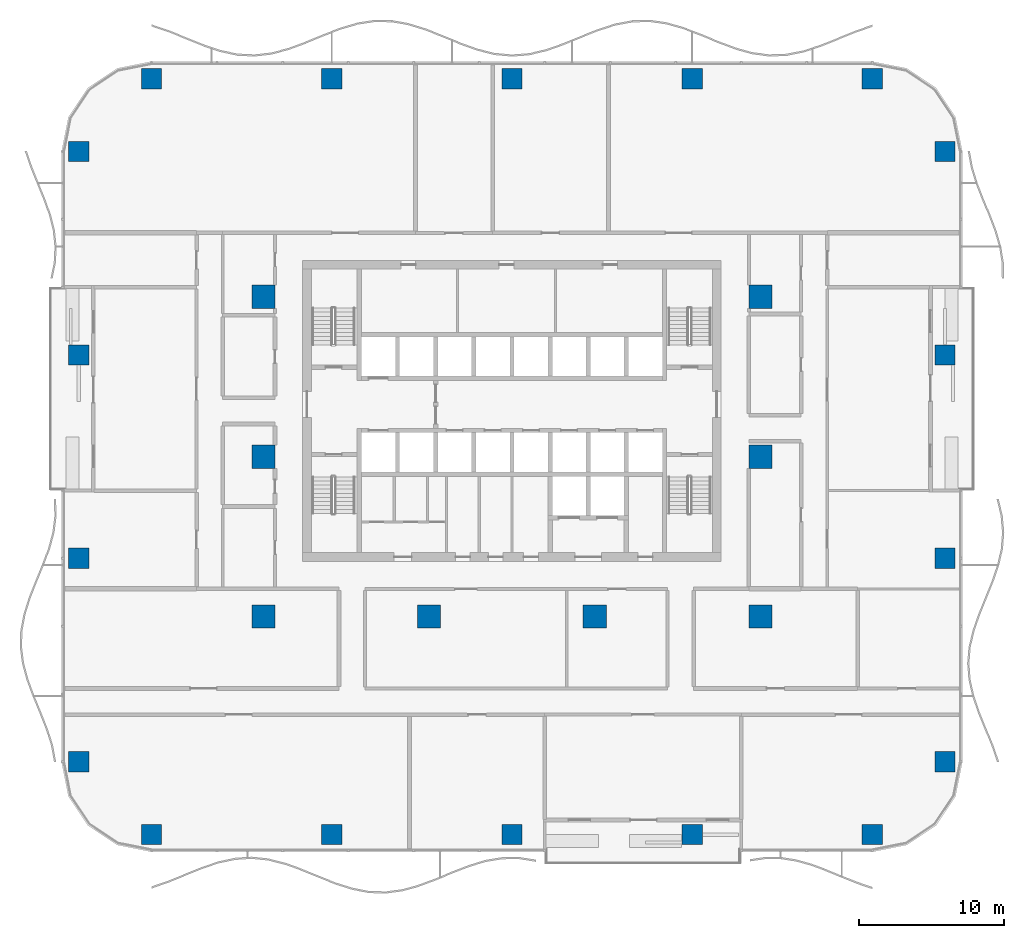
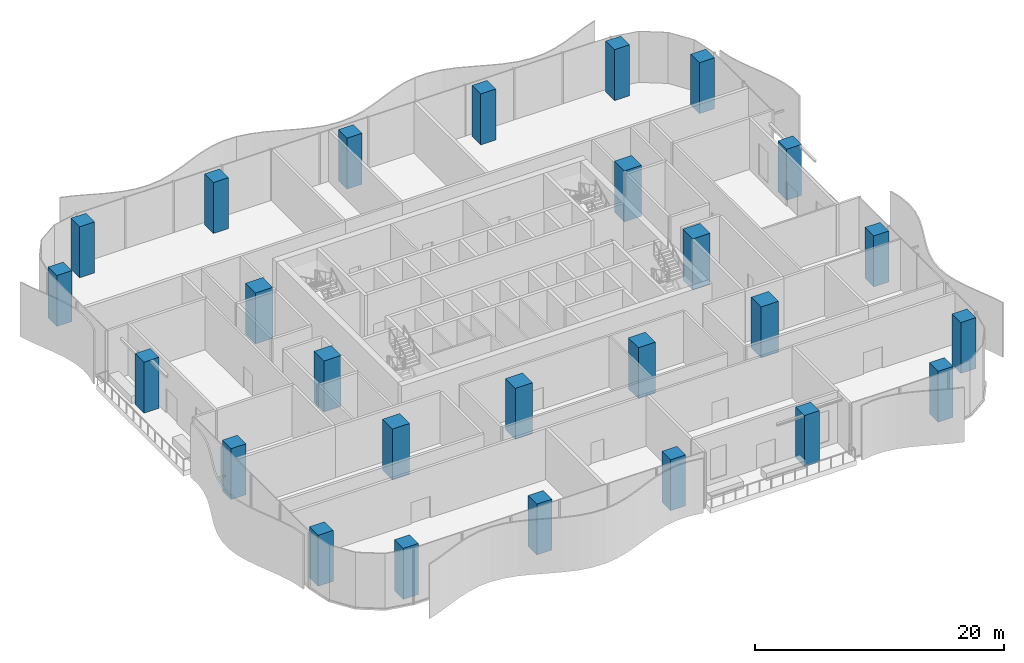
# One storey, part 1 of 21: 26 columns.
"""IFC4 building model written with IfcOpenShell, lengths in metres."""

import ifcopenshell
import ifcopenshell.guid

model = None  # the IFC model being written
_history = None  # IfcOwnerHistory: only IFC2X3 demands one
_inside = {}  # id of a spatial element -> (the spatial element, [elements in it])
_under = {}  # id of a project, library or spatial element -> (it, [spatial elements below it])
_declared = {}  # id of a project -> (the project, [libraries it declares])
_typed = {}  # id of a type object -> (the type object, [elements of that type])
_made_of = {}  # id of a material, layer set ... -> (it, [elements and type objects made of it])


def new_model(schema):
    """Start an empty IFC model of exactly this schema.

    Asked for "IFC4X3", IfcOpenShell would pick the latest addendum, in which some entities
    have other attributes; the version numbers below select the first issue.
    IFC2X3 requires an IfcOwnerHistory on every rooted entity: one is made here for all.
    """
    global model, _history
    if schema == "IFC4X3":
        model = ifcopenshell.file(schema_version=(4, 3, 0, 0))
    else:
        model = ifcopenshell.file(schema=schema)
    _inside.clear()
    _under.clear()
    _declared.clear()
    _typed.clear()
    _made_of.clear()
    _history = None
    if model.schema == "IFC2X3":
        org = make("IfcOrganization", Name="unknown")
        user = make(
            "IfcPersonAndOrganization",
            ThePerson=make("IfcPerson", FamilyName="unknown"),
            TheOrganization=org,
        )
        app = make(
            "IfcApplication",
            ApplicationDeveloper=org,
            Version="unknown",
            ApplicationFullName="unknown",
            ApplicationIdentifier="unknown",
        )
        _history = make(
            "IfcOwnerHistory",
            OwningUser=user,
            OwningApplication=app,
            ChangeAction="ADDED",
            CreationDate=0,
        )
    return model


def make(cls, **values):
    """One entity of the class cls with the attributes given. An attribute that is None is left unset."""
    return model.create_entity(
        cls, **{name: value for name, value in values.items() if value is not None}
    )


def rooted(cls, **values):
    """An entity with a GlobalId (a new one), such as an element, a storey or a relation."""
    return make(cls, GlobalId=ifcopenshell.guid.new(), OwnerHistory=_history, **values)


def si_unit(unit_type, name, prefix=None):
    """IfcSIUnit, for example si_unit("LENGTHUNIT", "METRE", prefix="MILLI")."""
    return make("IfcSIUnit", UnitType=unit_type, Prefix=prefix, Name=name)


def assignment(units):
    """IfcUnitAssignment: the units of a project."""
    return None if units is None else make("IfcUnitAssignment", Units=units)


def point(xyz):
    """IfcCartesianPoint."""
    return None if xyz is None else make("IfcCartesianPoint", Coordinates=xyz)


def direction(xyz):
    """IfcDirection."""
    return None if xyz is None else make("IfcDirection", DirectionRatios=xyz)


def frame(location, z_axis=None, x_axis=None):
    """IfcAxis2Placement3D, a coordinate frame: its origin and axes. An axis left out is left unset."""
    return make(
        "IfcAxis2Placement3D",
        Location=point(location),
        Axis=direction(z_axis),
        RefDirection=direction(x_axis),
    )


def frame_2d(location, x_axis=None):
    """IfcAxis2Placement2D, a coordinate frame in the plane: its origin and x axis."""
    return make(
        "IfcAxis2Placement2D", Location=point(location), RefDirection=direction(x_axis)
    )


def origin():
    """The frame at (0, 0, 0) with its axes left unset."""
    return frame((0.0, 0.0, 0.0))


def origin_2d():
    """The frame at (0, 0) in the plane with its x axis left unset."""
    return frame_2d((0.0, 0.0))


def place(relative_to, where):
    """IfcLocalPlacement: puts the frame where relative to a parent placement (None: the world)."""
    return make(
        "IfcLocalPlacement", PlacementRelTo=relative_to, RelativePlacement=where
    )


def context(
    kind, dimensions, precision=None, world=None, true_north=None, identifier=None
):
    """IfcGeometricRepresentationContext, for example the 3D "Model" context."""
    return make(
        "IfcGeometricRepresentationContext",
        ContextIdentifier=identifier,
        ContextType=kind,
        CoordinateSpaceDimension=dimensions,
        Precision=precision,
        WorldCoordinateSystem=world,
        TrueNorth=true_north,
    )


def subcontext(parent, identifier, kind, view, scale=None):
    """IfcGeometricRepresentationSubContext, for example "Body" below "Model"."""
    return make(
        "IfcGeometricRepresentationSubContext",
        ContextIdentifier=identifier,
        ContextType=kind,
        ParentContext=parent,
        TargetScale=scale,
        TargetView=view,
    )


def project(units=None, contexts=None):
    """IfcProject with its units and contexts."""
    return rooted(
        "IfcProject",
        Name="project",
        RepresentationContexts=contexts,
        UnitsInContext=assignment(units),
    )


def spatial(cls, under=None, at=None, **own):
    """A site, building, storey or space (cls), placed at a placement, below another one or the project."""
    s = rooted(cls, ObjectPlacement=at, **own)
    if under is not None:
        _under.setdefault(under.id(), (under, []))[1].append(s)
    return s


def profile(cls, at=None, kind="AREA", **sizes):
    """A parametric profile (cls). Its sizes go by their IFC names, for example OverallWidth=200.0."""
    return make(cls, ProfileType=kind, Position=at, **sizes)


def rectangle(**sizes):
    """IfcRectangleProfileDef."""
    return profile("IfcRectangleProfileDef", **sizes)


def extrude(swept, where, along, depth):
    """IfcExtrudedAreaSolid: the profile swept, set in the frame where, extruded along a direction by depth."""
    return make(
        "IfcExtrudedAreaSolid",
        SweptArea=swept,
        Position=where,
        ExtrudedDirection=direction(along),
        Depth=depth,
    )


def shape(context_of_items, identifier, shape_type, items):
    """IfcShapeRepresentation: the items that make up one representation, for example the "Body"."""
    return make(
        "IfcShapeRepresentation",
        ContextOfItems=context_of_items,
        RepresentationIdentifier=identifier,
        RepresentationType=shape_type,
        Items=items,
    )


def material(Name=None, Category=None):
    """IfcMaterial."""
    return make("IfcMaterial", Name=Name, Category=Category)


def material_profile(
    of_material, cross_section, Name=None, Category=None, Priority=None
):
    """IfcMaterialProfile: a cross section and its material."""
    return make(
        "IfcMaterialProfile",
        Name=Name,
        Material=of_material,
        Profile=cross_section,
        Priority=Priority,
        Category=Category,
    )


def profile_set(profiles, Name=None, composite=None):
    """IfcMaterialProfileSet."""
    return make(
        "IfcMaterialProfileSet",
        Name=Name,
        MaterialProfiles=profiles,
        CompositeProfile=composite,
    )


def made_of(thing, what):
    """Note that an element or type object is made of a material, layer set ...; save() writes the relation."""
    if what is not None:
        _made_of.setdefault(what.id(), (what, []))[1].append(thing)
    return thing


def type_object(cls, material=None, **own):
    """A type object (cls), such as IfcWallType, which elements share."""
    return made_of(rooted(cls, **own), material)


def element(
    cls,
    number,
    at=None,
    inside=None,
    cuts=None,
    type_object=None,
    material=None,
    context=None,
    identifier="Body",
    shape_type=None,
    held_by="IfcProductDefinitionShape",
    body=None,
    shapes=None,
    **own,
):
    """One element of the class cls, such as IfcWall. Its Tag is "e" and its number.

    at: its placement. inside: the storey or other place that contains it. cuts: it is an
    opening in that element (IfcRelVoidsElement). A single representation is given by context,
    identifier, shape_type and body (its items); several are given by shapes. held_by: the class
    of the entity that holds the representations. save() writes the other relations.
    """
    e = rooted(cls, Tag="e%d" % number, ObjectPlacement=at, **own)
    if body is not None:
        shapes = [shape(context, identifier, shape_type, body)]
    if shapes is not None:
        e.Representation = make(held_by, Representations=shapes)
    if inside is not None:
        _inside.setdefault(inside.id(), (inside, []))[1].append(e)
    if cuts is not None:
        rooted(
            "IfcRelVoidsElement", RelatingBuildingElement=cuts, RelatedOpeningElement=e
        )
    if type_object is not None:
        _typed.setdefault(type_object.id(), (type_object, []))[1].append(e)
    return made_of(e, material)


def aggregate(whole, parts):
    """IfcRelAggregates: a whole, such as a stair, and the parts it consists of."""
    return rooted("IfcRelAggregates", RelatingObject=whole, RelatedObjects=parts)


def save(model, path):
    """Write the relations noted so far, then the file.

    IfcRelAggregates (storeys below a building ...), IfcRelContainedInSpatialStructure (elements
    in a storey), IfcRelDefinesByType, IfcRelAssociatesMaterial and IfcRelDeclares: one each for
    every whole, place, type object, material and project.
    """
    for whole, parts in _under.values():
        aggregate(whole, parts)
    for where, things in _inside.values():
        rooted(
            "IfcRelContainedInSpatialStructure",
            RelatedElements=things,
            RelatingStructure=where,
        )
    for kind, things in _typed.values():
        rooted("IfcRelDefinesByType", RelatedObjects=things, RelatingType=kind)
    for what, things in _made_of.values():
        rooted("IfcRelAssociatesMaterial", RelatedObjects=things, RelatingMaterial=what)
    for by, libraries in _declared.values():
        rooted("IfcRelDeclares", RelatingContext=by, RelatedDefinitions=libraries)
    model.write(path)


model = new_model("IFC4")

# Units and contexts
model_context = context("Model", 3, precision=1e-05, world=origin(), true_north=direction((0.0, 1.0)))
body_context = subcontext(model_context, "Body", "Model", "MODEL_VIEW")
ifc_project = project(units=[si_unit("LENGTHUNIT", "METRE"), si_unit("AREAUNIT", "SQUARE_METRE"), si_unit("VOLUMEUNIT", "CUBIC_METRE"), si_unit("PLANEANGLEUNIT", "RADIAN"), si_unit("MASSUNIT", "GRAM", prefix="KILO")], contexts=[model_context])

# Site, building, storey
site_placement = place(None, origin())
site = spatial("IfcSite", under=ifc_project, at=site_placement, CompositionType="ELEMENT")
building_placement = place(site_placement, origin())
building = spatial("IfcBuilding", under=site, at=building_placement, Name="Mopane Tessera Tower", CompositionType="ELEMENT")
storey_placement = place(building_placement, frame((0.0, 0.0, 20.0)))
storey = spatial("IfcBuildingStorey", under=building, at=storey_placement, Name="L03", CompositionType="ELEMENT", Elevation=20.0)

# Columns
ifc_material_1 = material(Name="Concrete C60/75", Category="concrete")
ifc_material_profile_1 = material_profile(ifc_material_1, rectangle(XDim=1.60009765625, YDim=1.60009765625, at=origin_2d()))
ifc_profile_set_1 = profile_set([ifc_material_profile_1], Name="Concrete C60/75")
column_type_1 = type_object("IfcColumnType", Name="Interior column 1600 x 1600 C60/75", PredefinedType="COLUMN", material=ifc_profile_set_1)
for number, where, z_axis, x_axis, name in (
    (1, (-17.10009765625, -11.0, 0.0), (0.0, 0.0, 1.0), (1.0, 0.0, 0.0), "Interior column I1A L03"),
    (2, (-17.10009765625, 0.0, 0.0), (0.0, 0.0, 1.0), (1.0, 0.0, 0.0), "Interior column I1B L03"),
    (3, (-17.10009765625, 11.0, 0.0), (0.0, 0.0, 1.0), (1.0, 0.0, 0.0), "Interior column I1C L03"),
    (4, (-5.699951171875, -11.0, 0.0), (0.0, 0.0, 1.0), (1.0, 0.0, 0.0), "Interior column I2A L03"),
    (5, (5.699951171875, -11.0, 0.0), (0.0, 0.0, 1.0), (1.0, 0.0, 0.0), "Interior column I3A L03"),
    (6, (17.10009765625, -11.0, 0.0), (0.0, 0.0, 1.0), (1.0, 0.0, 0.0), "Interior column I4A L03"),
    (7, (17.10009765625, 0.0, 0.0), (0.0, 0.0, 1.0), (1.0, 0.0, 0.0), "Interior column I4B L03"),
    (8, (17.10009765625, 11.0, 0.0), (0.0, 0.0, 1.0), (1.0, 0.0, 0.0), "Interior column I4C L03"),
):
    element("IfcColumn", number, at=place(storey_placement, frame(where, z_axis=z_axis, x_axis=x_axis)), inside=storey, type_object=column_type_1, Name=name, PredefinedType="COLUMN", context=body_context, shape_type="SweptSolid", body=[
        extrude(rectangle(XDim=1.60009765625, YDim=1.60009765625, at=origin_2d()), origin(), (0.0, 0.0, 1.0), 5.0),
    ])
ifc_material_2 = material(Name="Concrete C60/75", Category="concrete")
ifc_material_profile_2 = material_profile(ifc_material_2, rectangle(XDim=1.39990234375, YDim=1.39990234375, at=origin_2d()))
ifc_profile_set_2 = profile_set([ifc_material_profile_2], Name="Concrete C60/75")
column_type_2 = type_object("IfcColumnType", Name="Ring column 1400 x 1400 C60/75", PredefinedType="COLUMN", material=ifc_profile_set_2)
for number, where, z_axis, x_axis, name in (
    (9, (-24.800048828125, -26.0, 0.0), (0.0, 0.0, 1.0), (1.0, 0.0, 0.0), "Ring column S0 L03"),
    (10, (-12.39990234375, -26.0, 0.0), (0.0, 0.0, 1.0), (1.0, 0.0, 0.0), "Ring column S1 L03"),
    (11, (0.0, -26.0, 0.0), (0.0, 0.0, 1.0), (1.0, 0.0, 0.0), "Ring column S2 L03"),
    (12, (12.39990234375, -26.0, 0.0), (0.0, 0.0, 1.0), (1.0, 0.0, 0.0), "Ring column S3 L03"),
    (13, (24.800048828125, -26.0, 0.0), (0.0, 0.0, 1.0), (1.0, 0.0, 0.0), "Ring column S4 L03"),
    (14, (29.800048828125, -21.0, 0.0), (0.0, 0.0, 1.0), (1.0, 0.0, 0.0), "Ring column E0 L03"),
    (15, (29.800048828125, -7.0, 0.0), (0.0, 0.0, 1.0), (1.0, 0.0, 0.0), "Ring column E1 L03"),
    (16, (29.800048828125, 7.0, 0.0), (0.0, 0.0, 1.0), (1.0, 0.0, 0.0), "Ring column E2 L03"),
    (17, (29.800048828125, 21.0, 0.0), (0.0, 0.0, 1.0), (1.0, 0.0, 0.0), "Ring column E3 L03"),
    (18, (24.800048828125, 26.0, 0.0), (0.0, 0.0, 1.0), (1.0, 0.0, 0.0), "Ring column N0 L03"),
    (19, (12.39990234375, 26.0, 0.0), (0.0, 0.0, 1.0), (1.0, 0.0, 0.0), "Ring column N1 L03"),
    (20, (0.0, 26.0, 0.0), (0.0, 0.0, 1.0), (1.0, 0.0, 0.0), "Ring column N2 L03"),
    (21, (-12.39990234375, 26.0, 0.0), (0.0, 0.0, 1.0), (1.0, 0.0, 0.0), "Ring column N3 L03"),
    (22, (-24.800048828125, 26.0, 0.0), (0.0, 0.0, 1.0), (1.0, 0.0, 0.0), "Ring column N4 L03"),
    (23, (-29.800048828125, 21.0, 0.0), (0.0, 0.0, 1.0), (1.0, 0.0, 0.0), "Ring column W0 L03"),
    (24, (-29.800048828125, 7.0, 0.0), (0.0, 0.0, 1.0), (1.0, 0.0, 0.0), "Ring column W1 L03"),
    (25, (-29.800048828125, -7.0, 0.0), (0.0, 0.0, 1.0), (1.0, 0.0, 0.0), "Ring column W2 L03"),
    (26, (-29.800048828125, -21.0, 0.0), (0.0, 0.0, 1.0), (1.0, 0.0, 0.0), "Ring column W3 L03"),
):
    element("IfcColumn", number, at=place(storey_placement, frame(where, z_axis=z_axis, x_axis=x_axis)), inside=storey, type_object=column_type_2, Name=name, PredefinedType="COLUMN", context=body_context, shape_type="SweptSolid", body=[
        extrude(rectangle(XDim=1.39990234375, YDim=1.39990234375, at=origin_2d()), origin(), (0.0, 0.0, 1.0), 5.0),
    ])

save(model, "model.ifc")
